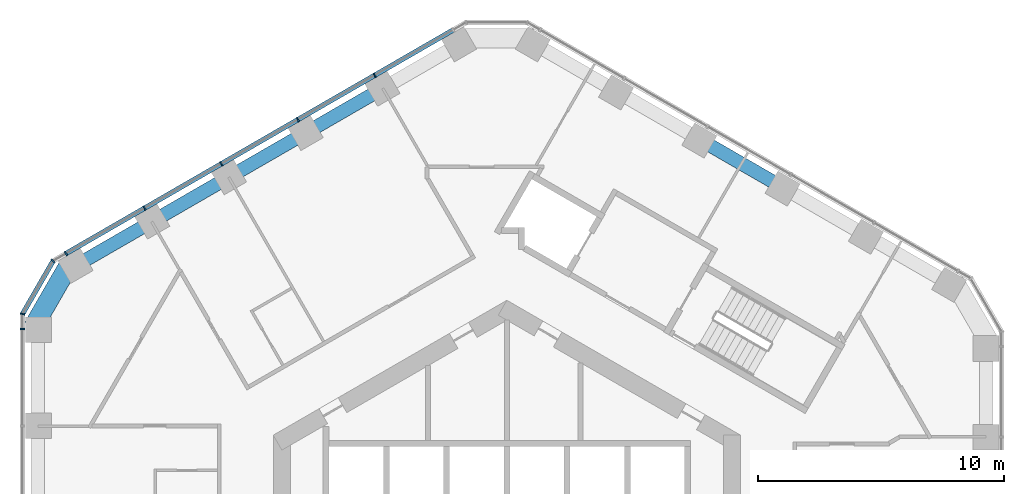
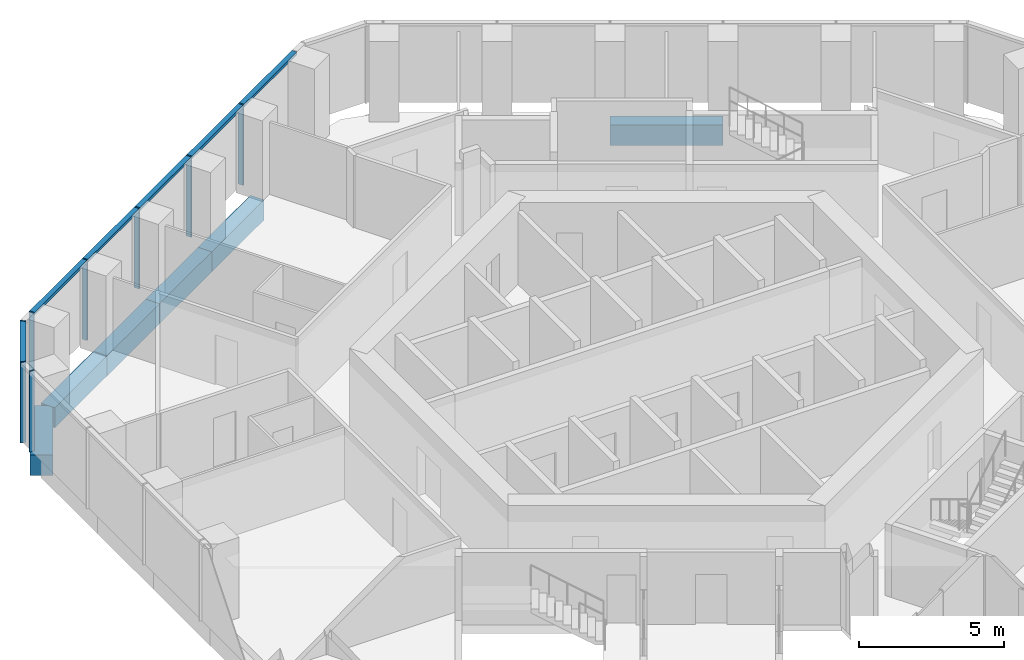
# One storey, part 6 of 19: 10 members, 6 beams, 3 elements without a shape of their own.
"""IFC4 building model written with IfcOpenShell, lengths in metres."""

from ifc_helpers import new_model, si_unit, direction, frame, origin, origin_2d, place, context, subcontext, project, spatial, rectangle, extrude, material, layer, layer_set, material_profile, profile_set, type_object, element, aggregate, save


model = new_model("IFC4")

# Units and contexts
model_context = context("Model", 3, precision=1e-05, world=origin(), true_north=direction((0.0, 1.0)))
body_context = subcontext(model_context, "Body", "Model", "MODEL_VIEW")
ifc_project = project(units=[si_unit("LENGTHUNIT", "METRE"), si_unit("AREAUNIT", "SQUARE_METRE"), si_unit("VOLUMEUNIT", "CUBIC_METRE"), si_unit("PLANEANGLEUNIT", "RADIAN"), si_unit("MASSUNIT", "GRAM", prefix="KILO")], contexts=[model_context])

# Site, building, storey
site_placement = place(None, origin())
site = spatial("IfcSite", under=ifc_project, at=site_placement, CompositionType="ELEMENT")
building_placement = place(site_placement, origin())
building = spatial("IfcBuilding", under=site, at=building_placement, Name="Ayvan Gate Tower", CompositionType="ELEMENT")
storey_placement = place(building_placement, frame((0.0, 0.0, 106.89990234375)))
storey = spatial("IfcBuildingStorey", under=building, at=storey_placement, Name="L28", CompositionType="ELEMENT", Elevation=106.89990234375)

# Beams
ifc_material_1 = material(Name="Concrete C40/50", Category="concrete")
ifc_material_profile_1 = material_profile(ifc_material_1, rectangle(XDim=0.800048828125, YDim=0.85009765625, at=origin_2d()), Name="RC 800x850")
ifc_profile_set_1 = profile_set([ifc_material_profile_1], Name="Concrete C40/50")
beam_type_1 = type_object("IfcBeamType", Name="Corner spandrel beam RC 800x850 C40/50", PredefinedType="BEAM", material=ifc_profile_set_1)
beam_1_placement = place(storey_placement, frame((-17.774169921875, 12.4580078125, -0.77490234375), z_axis=(-0.50002537861, -0.866010750942, 0.0), x_axis=(0.866010750942, -0.50002537861, 0.0)))
element("IfcBeam", 1, at=beam_1_placement, inside=storey, type_object=beam_type_1, Name="SB-L28-18", PredefinedType="BEAM", context=body_context, shape_type="SweptSolid", body=[
    extrude(rectangle(XDim=0.800048828125, YDim=0.85009765625, at=origin_2d()), origin(), (0.0, 0.0, 1.0), 2.999755859375),
])
ifc_material_profile_2 = material_profile(ifc_material_1, rectangle(XDim=0.550048828125, YDim=0.85009765625, at=origin_2d()), Name="RC 550x850")
ifc_profile_set_2 = profile_set([ifc_material_profile_2], Name="Concrete C40/50")
beam_type_2 = type_object("IfcBeamType", Name="Spandrel beam RC 550x850 C40/50", PredefinedType="BEAM", material=ifc_profile_set_2)
beam_2_placement = place(storey_placement, frame((11.23046875, 15.552001953125, -0.77490234375), z_axis=(-0.866027128446, 0.499997012787, 0.0), x_axis=(-0.499997012787, -0.866027128446, 0.0)))
element("IfcBeam", 2, at=beam_2_placement, inside=storey, type_object=beam_type_2, Name="SB-L28-9", PredefinedType="BEAM", context=body_context, shape_type="SweptSolid", body=[
    extrude(rectangle(XDim=0.550048828125, YDim=0.85009765625, at=origin_2d()), origin(), (0.0, 0.0, 1.0), 3.89990234375),
])
beam_3_placement = place(storey_placement, frame((-5.038330078125, 19.591064453125, -0.77490234375), z_axis=(-0.866014940095, -0.500018123204, 0.0), x_axis=(0.500018123204, -0.866014940095, 0.0)))
element("IfcBeam", 3, at=beam_3_placement, inside=storey, type_object=beam_type_2, Name="SB-L28-14", PredefinedType="BEAM", context=body_context, shape_type="SweptSolid", body=[
    extrude(rectangle(XDim=0.550048828125, YDim=0.85009765625, at=origin_2d()), origin(), (0.0, 0.0, 1.0), 3.621337890625),
])
beam_4_placement = place(storey_placement, frame((-8.174560546875, 17.7802734375, -0.77490234375), z_axis=(-0.866060982613, -0.499938370597, 0.0), x_axis=(0.499938370597, -0.866060982613, 0.0)))
element("IfcBeam", 4, at=beam_4_placement, inside=storey, type_object=beam_type_2, Name="SB-L28-15", PredefinedType="BEAM", context=body_context, shape_type="SweptSolid", body=[
    extrude(rectangle(XDim=0.550048828125, YDim=0.85009765625, at=origin_2d()), origin(), (0.0, 0.0, 1.0), 3.62158203125),
])
beam_5_placement = place(storey_placement, frame((-11.31103515625, 15.9697265625, -0.77490234375), z_axis=(-0.866014940095, -0.500018123204, 0.0), x_axis=(0.500018123204, -0.866014940095, 0.0)))
element("IfcBeam", 5, at=beam_5_placement, inside=storey, type_object=beam_type_2, Name="SB-L28-16", PredefinedType="BEAM", context=body_context, shape_type="SweptSolid", body=[
    extrude(rectangle(XDim=0.550048828125, YDim=0.85009765625, at=origin_2d()), origin(), (0.0, 0.0, 1.0), 3.621337890625),
])
beam_6_placement = place(storey_placement, frame((-14.447265625, 14.158935546875, -0.77490234375), z_axis=(-0.866031793627, -0.499988932305, 0.0), x_axis=(0.499988932305, -0.866031793627, 0.0)))
element("IfcBeam", 6, at=beam_6_placement, inside=storey, type_object=beam_type_2, Name="SB-L28-17", PredefinedType="BEAM", context=body_context, shape_type="SweptSolid", body=[
    extrude(rectangle(XDim=0.550048828125, YDim=0.85009765625, at=origin_2d()), origin(), (0.0, 0.0, 1.0), 3.62158203125),
])

# Curtain wall, members
ifc_material_2 = material(Name="Bronze anodised aluminium", Category="aluminium")
ifc_layer_1 = layer(ifc_material_2, 0.199951171875)
ifc_layer_set_1 = layer_set([ifc_layer_1], Name="Bronze anodised aluminium")
curtain_wall_type_1 = type_object("IfcCurtainWallType", Name="Stick curtain wall CW-1", PredefinedType="NOTDEFINED", material=ifc_layer_set_1)
curtain_wall_1_placement = place(storey_placement, origin())
curtain_wall_1 = element("IfcCurtainWall", 7, at=curtain_wall_1_placement, inside=storey, type_object=curtain_wall_type_1, Name="Stick curtain wall CW-1 L28", PredefinedType="NOTDEFINED")
ifc_material_profile_3 = material_profile(ifc_material_2, rectangle(XDim=0.199951171875, YDim=0.06005859375, at=origin_2d()), Name="Stick curtain wall CW-1 mullion 200 x 60")
ifc_profile_set_3 = profile_set([ifc_material_profile_3], Name="Bronze anodised aluminium")
member_type_1 = type_object("IfcMemberType", Name="Stick curtain wall CW-1 mullion 200 x 60", PredefinedType="MULLION", material=ifc_profile_set_3)
member_1_placement = place(storey_placement, frame((-5.37646484375, 20.117431640625, 0.0), z_axis=(0.0, 0.0, 1.0), x_axis=(-0.5, 0.866025403784, 0.0)))
member_1 = element("IfcMember", 8, at=member_1_placement, type_object=member_type_1, Name="CW-1 mullion 2", PredefinedType="MULLION", context=body_context, shape_type="SweptSolid", body=[
    extrude(rectangle(XDim=0.199951171875, YDim=0.06005859375, at=origin_2d()), origin(), (0.0, 0.0, 1.0), 3.400146484375),
])
member_2_placement = place(storey_placement, frame((-8.49609375, 18.316650390625, 0.0), z_axis=(0.0, 0.0, 1.0), x_axis=(-0.5, 0.866025403784, 0.0)))
member_2 = element("IfcMember", 9, at=member_2_placement, type_object=member_type_1, Name="CW-1 mullion 3", PredefinedType="MULLION", context=body_context, shape_type="SweptSolid", body=[
    extrude(rectangle(XDim=0.199951171875, YDim=0.06005859375, at=origin_2d()), origin(), (0.0, 0.0, 1.0), 3.400146484375),
])
member_3_placement = place(storey_placement, frame((-11.614501953125, 16.51611328125, 0.0), z_axis=(0.0, 0.0, 1.0), x_axis=(-0.5, 0.866025403784, 0.0)))
member_3 = element("IfcMember", 10, at=member_3_placement, type_object=member_type_1, Name="CW-1 mullion 4", PredefinedType="MULLION", context=body_context, shape_type="SweptSolid", body=[
    extrude(rectangle(XDim=0.199951171875, YDim=0.06005859375, at=origin_2d()), origin(), (0.0, 0.0, 1.0), 3.400146484375),
])
member_4_placement = place(storey_placement, frame((-14.73388671875, 14.715087890625, 0.0), z_axis=(0.0, 0.0, 1.0), x_axis=(-0.5, 0.866025403784, 0.0)))
member_4 = element("IfcMember", 11, at=member_4_placement, type_object=member_type_1, Name="CW-1 mullion 5", PredefinedType="MULLION", context=body_context, shape_type="SweptSolid", body=[
    extrude(rectangle(XDim=0.199951171875, YDim=0.06005859375, at=origin_2d()), origin(), (0.0, 0.0, 1.0), 3.400146484375),
])
member_5_placement = place(storey_placement, frame((-17.927978515625, 12.87109375, 0.0), z_axis=(0.0, 0.0, 1.0), x_axis=(-0.5, 0.866025403784, 0.0)))
member_5 = element("IfcMember", 12, at=member_5_placement, type_object=member_type_1, Name="CW-1 mullion 6", PredefinedType="MULLION", context=body_context, shape_type="SweptSolid", body=[
    extrude(rectangle(XDim=0.199951171875, YDim=0.06005859375, at=origin_2d()), origin(), (0.0, 0.0, 1.0), 3.400146484375),
])

# Curtain wall, member
curtain_wall_2_placement = place(storey_placement, origin())
curtain_wall_2 = element("IfcCurtainWall", 13, at=curtain_wall_2_placement, inside=storey, type_object=curtain_wall_type_1, Name="Stick curtain wall CW-1 L28", PredefinedType="NOTDEFINED")
member_6_placement = place(storey_placement, frame((-19.695068359375, 9.81005859375, 0.0), z_axis=(0.0, 0.0, 1.0), x_axis=(-1.0, 0.0, 0.0)))
member_6 = element("IfcMember", 14, at=member_6_placement, type_object=member_type_1, Name="CW-1 mullion 1", PredefinedType="MULLION", context=body_context, shape_type="SweptSolid", body=[
    extrude(rectangle(XDim=0.199951171875, YDim=0.06005859375, at=origin_2d()), origin(), (0.0, 0.0, 1.0), 3.400146484375),
])
aggregate(curtain_wall_2, [member_6])

# Member
ifc_material_profile_4 = material_profile(ifc_material_2, rectangle(XDim=0.199951171875, YDim=0.1201171875, at=origin_2d()), Name="Stick curtain wall CW-1 transom 200 x 120")
ifc_profile_set_4 = profile_set([ifc_material_profile_4], Name="Bronze anodised aluminium")
member_type_2 = type_object("IfcMemberType", Name="Stick curtain wall CW-1 transom 200 x 120", PredefinedType="USERDEFINED", material=ifc_profile_set_4)
member_7_placement = place(storey_placement, frame((-2.1826171875, 21.96142578125, 3.340087890625), z_axis=(-0.866031514373, -0.499989416001, 0.0), x_axis=(0.499989416001, -0.866031514373, 0.0)))
member_7 = element("IfcMember", 15, at=member_7_placement, type_object=member_type_2, Name="CW-1 transom 1", ObjectType="TRANSOM", PredefinedType="USERDEFINED", context=body_context, shape_type="SweptSolid", body=[
    extrude(rectangle(XDim=0.199951171875, YDim=0.1201171875, at=origin_2d()), origin(), (0.0, 0.0, 1.0), 18.18115234375),
])

aggregate(curtain_wall_1, [member_1, member_2, member_3, member_4, member_5, member_7])

# Curtain wall, members
ifc_layer_2 = layer(ifc_material_2, 0.199951171875)
ifc_layer_set_2 = layer_set([ifc_layer_2], Name="Bronze anodised aluminium")
curtain_wall_type_2 = type_object("IfcCurtainWallType", Name="Stick curtain wall CW-6", PredefinedType="NOTDEFINED", material=ifc_layer_set_2)
curtain_wall_3_placement = place(storey_placement, origin())
curtain_wall_3 = element("IfcCurtainWall", 16, at=curtain_wall_3_placement, inside=storey, type_object=curtain_wall_type_2, Name="Stick curtain wall CW-6 L28", PredefinedType="NOTDEFINED")
ifc_material_profile_5 = material_profile(ifc_material_2, rectangle(XDim=0.199951171875, YDim=0.050048828125, at=origin_2d()), Name="Stick curtain wall CW-6 mullion 200 x 50")
ifc_profile_set_5 = profile_set([ifc_material_profile_5], Name="Bronze anodised aluminium")
member_type_3 = type_object("IfcMemberType", Name="Stick curtain wall CW-6 mullion 200 x 50", PredefinedType="MULLION", material=ifc_profile_set_5)
member_8_placement = place(storey_placement, frame((-18.451904296875, 12.568603515625, 0.0), z_axis=(0.0, 0.0, 1.0), x_axis=(-0.707106781187, 0.707106781187, 0.0)))
member_8 = element("IfcMember", 17, at=member_8_placement, type_object=member_type_3, Name="CW-6 mullion 2", PredefinedType="MULLION", context=body_context, shape_type="SweptSolid", body=[
    extrude(rectangle(XDim=0.199951171875, YDim=0.050048828125, at=origin_2d()), origin(), (0.0, 0.0, 1.0), 3.400146484375),
])
member_9_placement = place(storey_placement, frame((-19.695068359375, 10.4150390625, 0.0), z_axis=(0.0, 0.0, 1.0), x_axis=(-0.965925826289, 0.258819045103, 0.0)))
member_9 = element("IfcMember", 18, at=member_9_placement, type_object=member_type_3, Name="CW-6 mullion 3", PredefinedType="MULLION", context=body_context, shape_type="SweptSolid", body=[
    extrude(rectangle(XDim=0.199951171875, YDim=0.050048828125, at=origin_2d()), origin(), (0.0, 0.0, 1.0), 3.400146484375),
])
ifc_material_profile_6 = material_profile(ifc_material_2, rectangle(XDim=0.199951171875, YDim=0.1201171875, at=origin_2d()), Name="Stick curtain wall CW-6 transom 200 x 120")
ifc_profile_set_6 = profile_set([ifc_material_profile_6], Name="Bronze anodised aluminium")
member_type_4 = type_object("IfcMemberType", Name="Stick curtain wall CW-6 transom 200 x 120", PredefinedType="USERDEFINED", material=ifc_profile_set_6)
member_10_placement = place(storey_placement, frame((-18.46435546875, 12.546875, 3.340087890625), z_axis=(-0.499997116, -0.866027068856, 0.0), x_axis=(0.866027068856, -0.499997116, 0.0)))
member_10 = element("IfcMember", 19, at=member_10_placement, type_object=member_type_4, Name="CW-6 transom 2", ObjectType="TRANSOM", PredefinedType="USERDEFINED", context=body_context, shape_type="SweptSolid", body=[
    extrude(rectangle(XDim=0.199951171875, YDim=0.1201171875, at=origin_2d()), origin(), (0.0, 0.0, 1.0), 2.4365234375),
])
aggregate(curtain_wall_3, [member_8, member_9, member_10])

save(model, "model.ifc")
